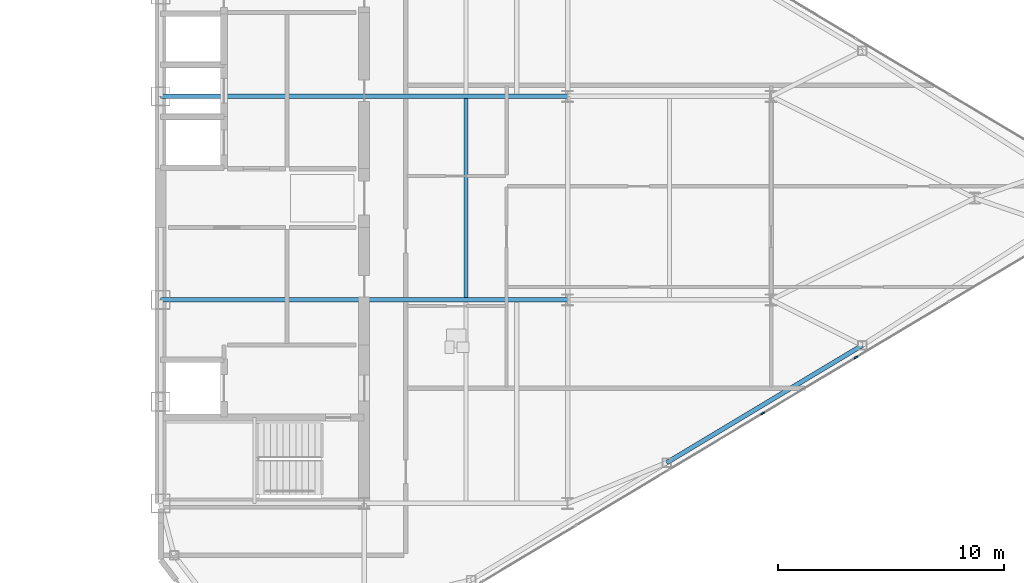
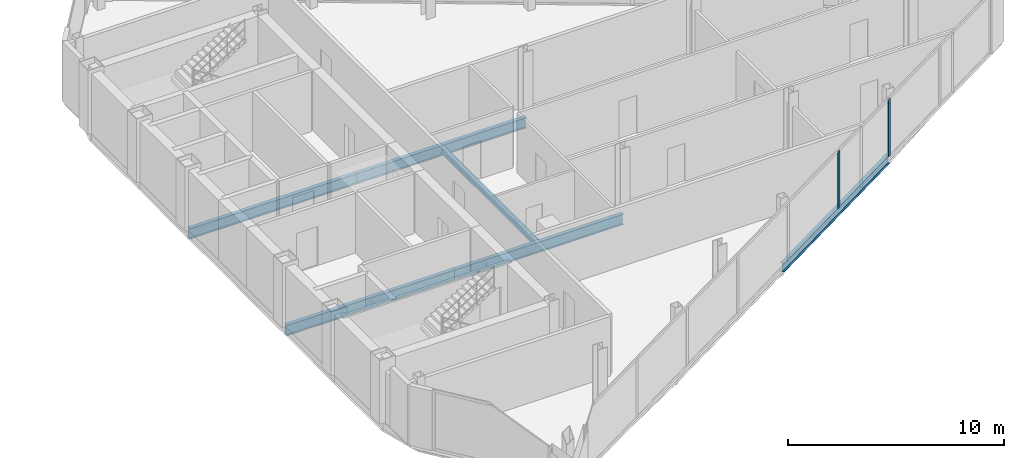
# One storey, part 13 of 25: 6 beams, 2 members, 1 element without a shape of its own.
"""IFC4 building model written with IfcOpenShell, lengths in metres."""

from ifc_helpers import new_model, si_unit, direction, frame, origin, origin_2d, place, context, subcontext, project, spatial, rectangle, i_section, extrude, source, transform, mapped, material, layer, layer_set, material_profile, profile_set, type_object, type_shapes, element, aggregate, save


model = new_model("IFC4")

# Units and contexts
model_context = context("Model", 3, precision=1e-05, world=origin(), true_north=direction((0.0, 1.0)))
body_context = subcontext(model_context, "Body", "Model", "MODEL_VIEW")
ifc_project = project(units=[si_unit("LENGTHUNIT", "METRE"), si_unit("AREAUNIT", "SQUARE_METRE"), si_unit("VOLUMEUNIT", "CUBIC_METRE"), si_unit("PLANEANGLEUNIT", "RADIAN"), si_unit("MASSUNIT", "GRAM", prefix="KILO")], contexts=[model_context])

# Site, building, storey
site_placement = place(None, origin())
site = spatial("IfcSite", under=ifc_project, at=site_placement, CompositionType="ELEMENT")
building_placement = place(site_placement, origin())
building = spatial("IfcBuilding", under=site, at=building_placement, Name="Seokmaru Belvedere", CompositionType="ELEMENT")
storey_placement = place(building_placement, frame((0.0, 0.0, 217.5)))
storey = spatial("IfcBuildingStorey", under=building, at=storey_placement, Name="L58", CompositionType="ELEMENT", Elevation=217.5)

# Beams
ifc_material_1 = material(Name="Steel SM355 (355 MPa)", Category="steel")
ifc_material_profile_1 = material_profile(ifc_material_1, i_section(OverallWidth=0.199951171875, OverallDepth=0.60009765625, WebThickness=0.010986328125, FlangeThickness=0.01708984375, at=origin_2d()), Name="H-600x200x11x17")
ifc_profile_set_1 = profile_set([ifc_material_profile_1], Name="Steel SM355 (355 MPa)")
beam_type_1 = type_object("IfcBeamType", Name="Primary Floor Girder H-600", PredefinedType="BEAM", material=ifc_profile_set_1)
shared_shape_1 = source(origin(), body_context, "Body", "SweptSolid", [
    extrude(i_section(OverallWidth=0.199951171875, OverallDepth=0.60009765625, WebThickness=0.010986328125, FlangeThickness=0.01708984375, at=origin_2d()), origin(), (0.0, 0.0, 1.0), 9.0),
])
type_shapes(beam_type_1, [shared_shape_1])
for number, where, z_axis, x_axis, name in (
    (1, (27.5, -4.5, -0.52001953125), (1.0, 0.0, 0.0), (0.0, 1.0, 0.0), "L58 E Core Tie Girder 2"),
    (2, (36.5, -4.5, -0.52001953125), (1.0, 0.0, 0.0), (0.0, 1.0, 0.0), "L58 E Wing Primary Girder 2"),
    (3, (27.5, 4.5, -0.52001953125), (1.0, 0.0, 0.0), (0.0, 1.0, 0.0), "L58 E Core Tie Girder 3"),
    (4, (36.5, 4.5, -0.52001953125), (1.0, 0.0, 0.0), (0.0, 1.0, 0.0), "L58 E Wing Primary Girder 3"),
):
    element("IfcBeam", number, at=place(storey_placement, frame(where, z_axis=z_axis, x_axis=x_axis)), inside=storey, type_object=beam_type_1, Name=name, PredefinedType="BEAM", context=body_context, shape_type="MappedRepresentation", body=[
        mapped(shared_shape_1, transform((0.0, 0.0, 0.0), scale=1.0)),
    ])
ifc_material_profile_2 = material_profile(ifc_material_1, i_section(OverallWidth=0.18505859375, OverallDepth=0.389892578125, WebThickness=0.008056640625, FlangeThickness=0.011962890625, at=origin_2d()), Name="H-390x185x8x12")
ifc_profile_set_2 = profile_set([ifc_material_profile_2], Name="Steel SM355 (355 MPa)")
beam_type_2 = type_object("IfcBeamType", Name="Secondary Floor Joist H-350", PredefinedType="JOIST", material=ifc_profile_set_2)
shared_shape_2 = source(origin(), body_context, "Body", "SweptSolid", [
    extrude(i_section(OverallWidth=0.18505859375, OverallDepth=0.389892578125, WebThickness=0.008056640625, FlangeThickness=0.011962890625, at=origin_2d()), origin(), (0.0, 0.0, 1.0), 8.7900390625),
])
type_shapes(beam_type_2, [shared_shape_2])
beam_1_placement = place(storey_placement, frame((41.0, -4.39501953125, -0.4150390625), z_axis=(0.0, 1.0, 0.0), x_axis=(-1.0, 0.0, 0.0)))
element("IfcBeam", 5, at=beam_1_placement, inside=storey, type_object=beam_type_2, Name="L58 E Secondary Floor Joist 2", PredefinedType="JOIST", context=body_context, shape_type="MappedRepresentation", body=[
    mapped(shared_shape_2, transform((0.0, 0.0, 0.0), scale=1.0)),
])
ifc_material_profile_3 = material_profile(ifc_material_1, i_section(OverallWidth=0.199951171875, OverallDepth=0.5, WebThickness=0.010009765625, FlangeThickness=0.01611328125, at=origin_2d()), Name="H-500x200x10x16")
ifc_profile_set_3 = profile_set([ifc_material_profile_3], Name="Steel SM355 (355 MPa)")
beam_type_3 = type_object("IfcBeamType", Name="Perimeter Spandrel Beam H-500", PredefinedType="SPANDREL", material=ifc_profile_set_3)
shared_shape_3 = source(origin(), body_context, "Body", "SweptSolid", [
    extrude(i_section(OverallWidth=0.199951171875, OverallDepth=0.5, WebThickness=0.010009765625, FlangeThickness=0.01611328125, at=origin_2d()), origin(), (0.0, 0.0, 1.0), 10.087646484375),
])
type_shapes(beam_type_3, [shared_shape_3])
beam_2_placement = place(storey_placement, frame((49.8798828125, -11.698974609375, -0.469970703125), z_axis=(0.857488654804, 0.514502873542, 0.0), x_axis=(-0.514502873542, 0.857488654804, 0.0)))
element("IfcBeam", 6, at=beam_2_placement, inside=storey, type_object=beam_type_3, Name="L58 E Faceted Flank Spandrel S-3", PredefinedType="SPANDREL", context=body_context, shape_type="MappedRepresentation", body=[
    mapped(shared_shape_3, transform((0.0, 0.0, 0.0), scale=1.0)),
])

# Curtain wall, members
ifc_material_2 = material(Name="Bronze Triple Insulating Glass", Category="glass")
ifc_layer = layer(ifc_material_2, 0.179931640625)
ifc_layer_set = layer_set([ifc_layer], Name="Bronze Triple Insulating Glass")
curtain_wall_type = type_object("IfcCurtainWallType", Name="High-Rise Wind-Corner Curtain Wall System CW-5", PredefinedType="NOTDEFINED", material=ifc_layer_set)
curtain_wall_placement = place(storey_placement, origin())
curtain_wall = element("IfcCurtainWall", 7, at=curtain_wall_placement, inside=storey, type_object=curtain_wall_type, Name="L58 Curtain Wall EF1", PredefinedType="NOTDEFINED")
ifc_material_3 = material(Name="Anodised Bronze Aluminium", Category="aluminium")
ifc_material_profile_4 = material_profile(ifc_material_3, rectangle(XDim=0.06494140625, YDim=0.179931640625, at=origin_2d()), Name="CW-M-65x180")
ifc_profile_set_4 = profile_set([ifc_material_profile_4], Name="Anodised Bronze Aluminium")
member_type = type_object("IfcMemberType", Name="Bronze Unitised Mullion 65x180", PredefinedType="MULLION", material=ifc_profile_set_4)
shared_shape_4 = source(origin(), body_context, "Body", "SweptSolid", [
    extrude(rectangle(XDim=0.06494140625, YDim=0.179931640625, at=origin_2d()), origin(), (0.0, 0.0, 1.0), 3.25),
])
type_shapes(member_type, [shared_shape_4])
member_1_placement = place(storey_placement, frame((54.12841796875, -9.52294921875, 0.06494140625), z_axis=(0.0, 0.0, 1.0), x_axis=(-0.514494909364, 0.85749343335, 0.0)))
member_1 = element("IfcMember", 8, at=member_1_placement, type_object=member_type, Name="CW:L58:EF1 Mullion 6", PredefinedType="MULLION", context=body_context, shape_type="MappedRepresentation", body=[
    mapped(shared_shape_4, transform((0.0, 0.0, 0.0), scale=1.0)),
])
member_2_placement = place(storey_placement, frame((58.257080078125, -7.0458984375, 0.06494140625), z_axis=(0.0, 0.0, 1.0), x_axis=(-0.514494909364, 0.85749343335, 0.0)))
member_2 = element("IfcMember", 9, at=member_2_placement, type_object=member_type, Name="CW:L58:EF1 Mullion 7", PredefinedType="MULLION", context=body_context, shape_type="MappedRepresentation", body=[
    mapped(shared_shape_4, transform((0.0, 0.0, 0.0), scale=1.0)),
])
aggregate(curtain_wall, [member_1, member_2])

save(model, "model.ifc")
